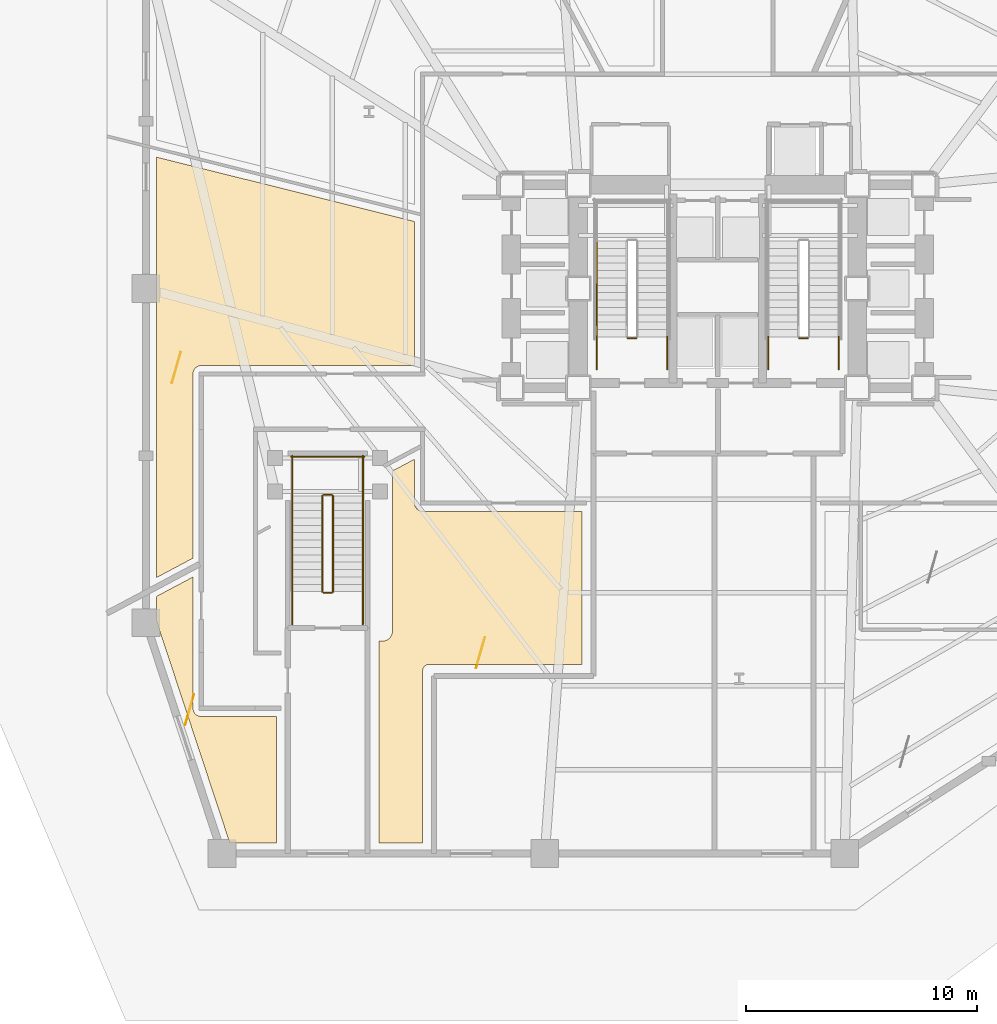
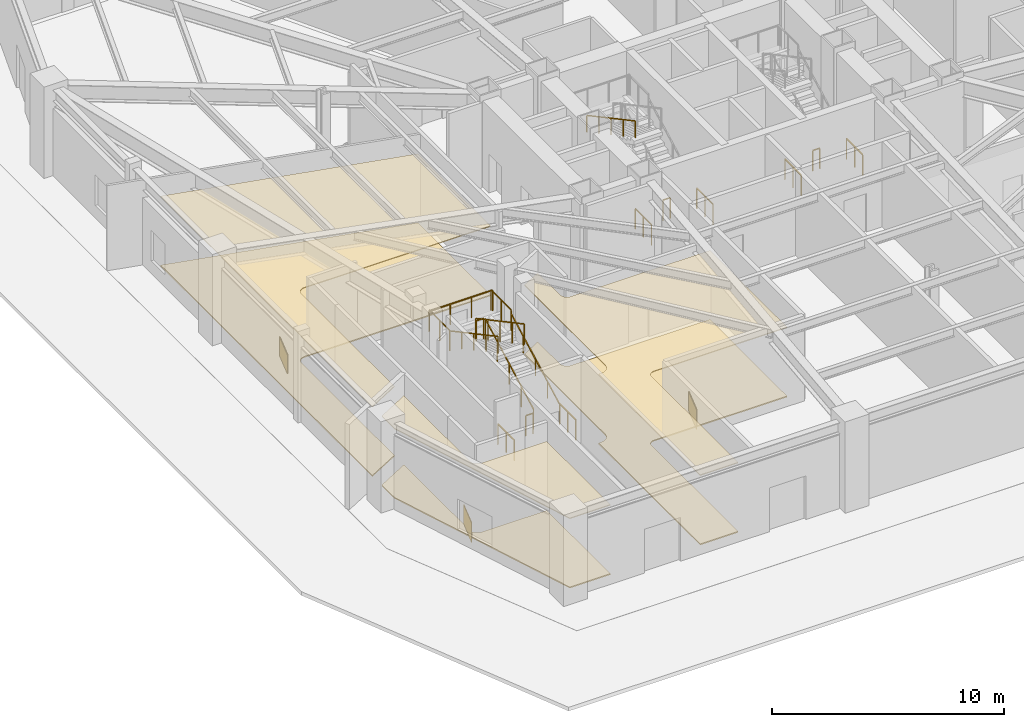
# One storey, part 7 of 10: 18 railings, 9 coverings.
"""IFC4 building model written with IfcOpenShell, lengths in metres."""

from ifc_helpers import new_model, si_unit, direction, frame, origin, origin_2d, place, context, subcontext, project, spatial, polyline, rectangle, outline, extrude, material, layer, layer_set, type_object, element, save


model = new_model("IFC4")

# Units and contexts
model_context = context("Model", 3, precision=1e-05, world=origin(), true_north=direction((0.0, 1.0)))
body_context = subcontext(model_context, "Body", "Model", "MODEL_VIEW")
ifc_project = project(units=[si_unit("LENGTHUNIT", "METRE"), si_unit("AREAUNIT", "SQUARE_METRE"), si_unit("VOLUMEUNIT", "CUBIC_METRE"), si_unit("PLANEANGLEUNIT", "RADIAN"), si_unit("MASSUNIT", "GRAM", prefix="KILO")], contexts=[model_context])

# Site, building, storey
site_placement = place(None, origin())
site = spatial("IfcSite", under=ifc_project, at=site_placement, CompositionType="ELEMENT")
building_placement = place(site_placement, origin())
building = spatial("IfcBuilding", under=site, at=building_placement, Name="Rocaltana Carrier Exchange", CompositionType="ELEMENT")
storey_placement = place(building_placement, origin())
storey = spatial("IfcBuildingStorey", under=building, at=storey_placement, Name="L01", CompositionType="ELEMENT", Elevation=0.0)

# Coverings
ifc_material_1 = material(Name="Calcium Sulphate & Aluminium Pedestal", Category="aluminium")
ifc_layer_1 = layer(ifc_material_1, 0.06005859375)
ifc_layer_set_1 = layer_set([ifc_layer_1], Name="Calcium Sulphate & Aluminium Pedestal")
covering_type_1 = type_object("IfcCoveringType", Name="Anti-Static Raised Exchange Access Floor 60", PredefinedType="FLOORING", material=ifc_layer_set_1)
covering_1_placement = place(storey_placement, origin())
element("IfcCovering", 1, at=covering_1_placement, inside=storey, type_object=covering_type_1, Name="L01 Carrier Exchange Exhibition Hall Finish Floor", PredefinedType="FLOORING", context=body_context, shape_type="SweptSolid", body=[
    extrude(outline(polyline([(-13.159912109375, -3.340087890625), (-22.39990234375, -3.340087890625), (-22.413818359375, -3.34033203125), (-22.421630859375, -3.3408203125), (-22.448974609375, -3.343505859375), (-22.456787109375, -3.344482421875), (-22.483642578125, -3.349853515625), (-22.4912109375, -3.351806640625), (-22.517578125, -3.35986328125), (-22.52490234375, -3.362548828125), (-22.55029296875, -3.373046875), (-22.557373046875, -3.376220703125), (-22.581787109375, -3.389404296875), (-22.58837890625, -3.393310546875), (-22.611083984375, -3.40869140625), (-22.617431640625, -3.413330078125), (-22.638916015625, -3.4306640625), (-22.64453125, -3.43603515625), (-22.6640625, -3.455322265625), (-22.669189453125, -3.461181640625), (-22.686767578125, -3.482421875), (-22.69140625, -3.48876953125), (-22.706787109375, -3.51171875), (-22.710693359375, -3.518310546875), (-22.7236328125, -3.54248046875), (-22.72705078125, -3.5498046875), (-22.737548828125, -3.5751953125), (-22.740234375, -3.58251953125), (-22.748291015625, -3.608642578125), (-22.75, -3.616455078125), (-22.75537109375, -3.643310546875), (-22.756591796875, -3.651123046875), (-22.75927734375, -3.678466796875), (-22.759765625, -3.686279296875), (-22.760009765625, -3.699951171875), (-22.760009765625, -11.694091796875), (-24.340087890625, -12.5341796875), (-24.340087890625, 5.697509765625), (-13.159912109375, 2.91015625), (-13.159912109375, -3.340087890625)])), origin(), (0.0, 0.0, 1.0), 0.06005859375),
])
covering_2_placement = place(storey_placement, origin())
element("IfcCovering", 2, at=covering_2_placement, inside=storey, type_object=covering_type_1, Name="L01 Data Exchange Hall Finish Floor", PredefinedType="FLOORING", context=body_context, shape_type="SweptSolid", body=[
    extrude(outline(polyline([(-22.760009765625, -18.199951171875), (-22.759765625, -18.213623046875), (-22.75927734375, -18.2216796875), (-22.756591796875, -18.248779296875), (-22.75537109375, -18.256591796875), (-22.75, -18.28369140625), (-22.748291015625, -18.291259765625), (-22.740234375, -18.317626953125), (-22.737548828125, -18.324951171875), (-22.72705078125, -18.350341796875), (-22.7236328125, -18.357421875), (-22.710693359375, -18.381591796875), (-22.706787109375, -18.388427734375), (-22.69140625, -18.4111328125), (-22.686767578125, -18.41748046875), (-22.669189453125, -18.438720703125), (-22.6640625, -18.444580078125), (-22.64453125, -18.464111328125), (-22.638916015625, -18.46923828125), (-22.617431640625, -18.48681640625), (-22.611083984375, -18.491455078125), (-22.58837890625, -18.506591796875), (-22.581787109375, -18.5107421875), (-22.557373046875, -18.523681640625), (-22.55029296875, -18.527099609375), (-22.52490234375, -18.53759765625), (-22.517578125, -18.540283203125), (-22.4912109375, -18.548095703125), (-22.483642578125, -18.550048828125), (-22.456787109375, -18.555419921875), (-22.448974609375, -18.556640625), (-22.421630859375, -18.559326171875), (-22.413818359375, -18.559814453125), (-22.39990234375, -18.56005859375), (-19.14990234375, -18.56005859375), (-19.14990234375, -24.0400390625), (-21.16748046875, -24.0400390625), (-24.340087890625, -14.426025390625), (-24.340087890625, -13.349609375), (-22.760009765625, -12.509521484375), (-22.760009765625, -18.199951171875)])), origin(), (0.0, 0.0, 1.0), 0.06005859375),
])
covering_3_placement = place(storey_placement, origin())
element("IfcCovering", 3, at=covering_3_placement, inside=storey, type_object=covering_type_1, Name="L01 Optical Switching Laboratory Finish Floor", PredefinedType="FLOORING", context=body_context, shape_type="SweptSolid", body=[
    extrude(outline(polyline([(-13.159912109375, -9.300048828125), (-13.15966796875, -9.313720703125), (-13.1591796875, -9.321533203125), (-13.156494140625, -9.348876953125), (-13.155517578125, -9.356689453125), (-13.150146484375, -9.383544921875), (-13.148193359375, -9.391357421875), (-13.14013671875, -9.41748046875), (-13.137451171875, -9.4248046875), (-13.126953125, -9.4501953125), (-13.123779296875, -9.45751953125), (-13.110595703125, -9.481689453125), (-13.106689453125, -9.48828125), (-13.09130859375, -9.51123046875), (-13.086669921875, -9.517578125), (-13.0693359375, -9.538818359375), (-13.06396484375, -9.544677734375), (-13.044677734375, -9.56396484375), (-13.038818359375, -9.5693359375), (-13.017578125, -9.586669921875), (-13.01123046875, -9.59130859375), (-12.98828125, -9.606689453125), (-12.981689453125, -9.610595703125), (-12.95751953125, -9.623779296875), (-12.9501953125, -9.626953125), (-12.9248046875, -9.637451171875), (-12.91748046875, -9.64013671875), (-12.891357421875, -9.648193359375), (-12.883544921875, -9.650146484375), (-12.856689453125, -9.655517578125), (-12.848876953125, -9.656494140625), (-12.821533203125, -9.6591796875), (-12.813720703125, -9.65966796875), (-12.800048828125, -9.659912109375), (-5.89990234375, -9.659912109375), (-5.89990234375, -16.300048828125), (-12.52001953125, -16.300048828125), (-12.54736328125, -16.30126953125), (-12.57470703125, -16.305419921875), (-12.601318359375, -16.31201171875), (-12.627197265625, -16.3212890625), (-12.652099609375, -16.3330078125), (-12.675537109375, -16.34716796875), (-12.697509765625, -16.363525390625), (-12.718017578125, -16.382080078125), (-12.736328125, -16.40234375), (-12.752685546875, -16.42431640625), (-12.766845703125, -16.447998046875), (-12.77880859375, -16.472900390625), (-12.787841796875, -16.498779296875), (-12.794677734375, -16.525390625), (-12.798583984375, -16.552490234375), (-12.800048828125, -16.580078125), (-12.800048828125, -24.0400390625), (-14.68994140625, -24.0400390625), (-14.68994140625, -15.2900390625), (-14.550048828125, -15.2900390625), (-14.536376953125, -15.289794921875), (-14.5205078125, -15.288818359375), (-14.4931640625, -15.2861328125), (-14.477783203125, -15.283935546875), (-14.45068359375, -15.278564453125), (-14.435546875, -15.274658203125), (-14.4091796875, -15.2666015625), (-14.394287109375, -15.261474609375), (-14.369140625, -15.2509765625), (-14.35498046875, -15.244140625), (-14.33056640625, -15.231201171875), (-14.317138671875, -15.22314453125), (-14.294189453125, -15.2080078125), (-14.28173828125, -15.198486328125), (-14.260498046875, -15.18115234375), (-14.248779296875, -15.170654296875), (-14.2294921875, -15.151123046875), (-14.218994140625, -15.139404296875), (-14.201416015625, -15.118408203125), (-14.192138671875, -15.105712890625), (-14.1767578125, -15.082763671875), (-14.168701171875, -15.0693359375), (-14.15576171875, -15.045166015625), (-14.149169921875, -15.031005859375), (-14.138427734375, -15.005615234375), (-14.13330078125, -14.99072265625), (-14.125244140625, -14.964599609375), (-14.12158203125, -14.94921875), (-14.1162109375, -14.92236328125), (-14.11376953125, -14.90673828125), (-14.111083984375, -14.87939453125), (-14.1103515625, -14.86376953125), (-14.110107421875, -14.85009765625), (-14.110107421875, -7.91015625), (-13.159912109375, -7.405029296875), (-13.159912109375, -9.300048828125)])), origin(), (0.0, 0.0, 1.0), 0.06005859375),
])
ifc_material_2 = material(Name="Mineral Fibre & Powder-Coated Aluminium", Category="aluminium")
ifc_layer_2 = layer(ifc_material_2, 0.044921875)
ifc_layer_set_2 = layer_set([ifc_layer_2], Name="Mineral Fibre & Powder-Coated Aluminium")
covering_type_2 = type_object("IfcCoveringType", Name="Micro-Perforated Acoustic Ceiling 45", PredefinedType="CEILING", material=ifc_layer_set_2)
covering_4_placement = place(storey_placement, frame((0.0, 0.0, 3.64306640625)))
element("IfcCovering", 4, at=covering_4_placement, inside=storey, type_object=covering_type_2, Name="L01 Carrier Exchange Exhibition Hall Acoustic Ceiling", PredefinedType="CEILING", context=body_context, shape_type="SweptSolid", body=[
    extrude(outline(polyline([(-13.159912109375, -3.340087890625), (-22.39990234375, -3.340087890625), (-22.413818359375, -3.34033203125), (-22.421630859375, -3.3408203125), (-22.448974609375, -3.343505859375), (-22.456787109375, -3.344482421875), (-22.483642578125, -3.349853515625), (-22.4912109375, -3.351806640625), (-22.517578125, -3.35986328125), (-22.52490234375, -3.362548828125), (-22.55029296875, -3.373046875), (-22.557373046875, -3.376220703125), (-22.581787109375, -3.389404296875), (-22.58837890625, -3.393310546875), (-22.611083984375, -3.40869140625), (-22.617431640625, -3.413330078125), (-22.638916015625, -3.4306640625), (-22.64453125, -3.43603515625), (-22.6640625, -3.455322265625), (-22.669189453125, -3.461181640625), (-22.686767578125, -3.482421875), (-22.69140625, -3.48876953125), (-22.706787109375, -3.51171875), (-22.710693359375, -3.518310546875), (-22.7236328125, -3.54248046875), (-22.72705078125, -3.5498046875), (-22.737548828125, -3.5751953125), (-22.740234375, -3.58251953125), (-22.748291015625, -3.608642578125), (-22.75, -3.616455078125), (-22.75537109375, -3.643310546875), (-22.756591796875, -3.651123046875), (-22.75927734375, -3.678466796875), (-22.759765625, -3.686279296875), (-22.760009765625, -3.699951171875), (-22.760009765625, -11.694091796875), (-24.340087890625, -12.5341796875), (-24.340087890625, 5.697509765625), (-13.159912109375, 2.91015625), (-13.159912109375, -3.340087890625)])), origin(), (0.0, 0.0, 1.0), 0.044921875),
])
covering_5_placement = place(storey_placement, frame((0.0, 0.0, 3.64306640625)))
element("IfcCovering", 5, at=covering_5_placement, inside=storey, type_object=covering_type_2, Name="L01 Data Exchange Hall Acoustic Ceiling", PredefinedType="CEILING", context=body_context, shape_type="SweptSolid", body=[
    extrude(outline(polyline([(-22.760009765625, -18.199951171875), (-22.759765625, -18.213623046875), (-22.75927734375, -18.2216796875), (-22.756591796875, -18.248779296875), (-22.75537109375, -18.256591796875), (-22.75, -18.28369140625), (-22.748291015625, -18.291259765625), (-22.740234375, -18.317626953125), (-22.737548828125, -18.324951171875), (-22.72705078125, -18.350341796875), (-22.7236328125, -18.357421875), (-22.710693359375, -18.381591796875), (-22.706787109375, -18.388427734375), (-22.69140625, -18.4111328125), (-22.686767578125, -18.41748046875), (-22.669189453125, -18.438720703125), (-22.6640625, -18.444580078125), (-22.64453125, -18.464111328125), (-22.638916015625, -18.46923828125), (-22.617431640625, -18.48681640625), (-22.611083984375, -18.491455078125), (-22.58837890625, -18.506591796875), (-22.581787109375, -18.5107421875), (-22.557373046875, -18.523681640625), (-22.55029296875, -18.527099609375), (-22.52490234375, -18.53759765625), (-22.517578125, -18.540283203125), (-22.4912109375, -18.548095703125), (-22.483642578125, -18.550048828125), (-22.456787109375, -18.555419921875), (-22.448974609375, -18.556640625), (-22.421630859375, -18.559326171875), (-22.413818359375, -18.559814453125), (-22.39990234375, -18.56005859375), (-19.14990234375, -18.56005859375), (-19.14990234375, -24.0400390625), (-21.16748046875, -24.0400390625), (-24.340087890625, -14.426025390625), (-24.340087890625, -13.349609375), (-22.760009765625, -12.509521484375), (-22.760009765625, -18.199951171875)])), origin(), (0.0, 0.0, 1.0), 0.044921875),
])
covering_6_placement = place(storey_placement, frame((0.0, 0.0, 3.64306640625)))
element("IfcCovering", 6, at=covering_6_placement, inside=storey, type_object=covering_type_2, Name="L01 Optical Switching Laboratory Acoustic Ceiling", PredefinedType="CEILING", context=body_context, shape_type="SweptSolid", body=[
    extrude(outline(polyline([(-13.159912109375, -9.300048828125), (-13.15966796875, -9.313720703125), (-13.1591796875, -9.321533203125), (-13.156494140625, -9.348876953125), (-13.155517578125, -9.356689453125), (-13.150146484375, -9.383544921875), (-13.148193359375, -9.391357421875), (-13.14013671875, -9.41748046875), (-13.137451171875, -9.4248046875), (-13.126953125, -9.4501953125), (-13.123779296875, -9.45751953125), (-13.110595703125, -9.481689453125), (-13.106689453125, -9.48828125), (-13.09130859375, -9.51123046875), (-13.086669921875, -9.517578125), (-13.0693359375, -9.538818359375), (-13.06396484375, -9.544677734375), (-13.044677734375, -9.56396484375), (-13.038818359375, -9.5693359375), (-13.017578125, -9.586669921875), (-13.01123046875, -9.59130859375), (-12.98828125, -9.606689453125), (-12.981689453125, -9.610595703125), (-12.95751953125, -9.623779296875), (-12.9501953125, -9.626953125), (-12.9248046875, -9.637451171875), (-12.91748046875, -9.64013671875), (-12.891357421875, -9.648193359375), (-12.883544921875, -9.650146484375), (-12.856689453125, -9.655517578125), (-12.848876953125, -9.656494140625), (-12.821533203125, -9.6591796875), (-12.813720703125, -9.65966796875), (-12.800048828125, -9.659912109375), (-5.89990234375, -9.659912109375), (-5.89990234375, -16.300048828125), (-12.52001953125, -16.300048828125), (-12.54736328125, -16.30126953125), (-12.57470703125, -16.305419921875), (-12.601318359375, -16.31201171875), (-12.627197265625, -16.3212890625), (-12.652099609375, -16.3330078125), (-12.675537109375, -16.34716796875), (-12.697509765625, -16.363525390625), (-12.718017578125, -16.382080078125), (-12.736328125, -16.40234375), (-12.752685546875, -16.42431640625), (-12.766845703125, -16.447998046875), (-12.77880859375, -16.472900390625), (-12.787841796875, -16.498779296875), (-12.794677734375, -16.525390625), (-12.798583984375, -16.552490234375), (-12.800048828125, -16.580078125), (-12.800048828125, -24.0400390625), (-14.68994140625, -24.0400390625), (-14.68994140625, -15.2900390625), (-14.550048828125, -15.2900390625), (-14.536376953125, -15.289794921875), (-14.5205078125, -15.288818359375), (-14.4931640625, -15.2861328125), (-14.477783203125, -15.283935546875), (-14.45068359375, -15.278564453125), (-14.435546875, -15.274658203125), (-14.4091796875, -15.2666015625), (-14.394287109375, -15.261474609375), (-14.369140625, -15.2509765625), (-14.35498046875, -15.244140625), (-14.33056640625, -15.231201171875), (-14.317138671875, -15.22314453125), (-14.294189453125, -15.2080078125), (-14.28173828125, -15.198486328125), (-14.260498046875, -15.18115234375), (-14.248779296875, -15.170654296875), (-14.2294921875, -15.151123046875), (-14.218994140625, -15.139404296875), (-14.201416015625, -15.118408203125), (-14.192138671875, -15.105712890625), (-14.1767578125, -15.082763671875), (-14.168701171875, -15.0693359375), (-14.15576171875, -15.045166015625), (-14.149169921875, -15.031005859375), (-14.138427734375, -15.005615234375), (-14.13330078125, -14.99072265625), (-14.125244140625, -14.964599609375), (-14.12158203125, -14.94921875), (-14.1162109375, -14.92236328125), (-14.11376953125, -14.90673828125), (-14.111083984375, -14.87939453125), (-14.1103515625, -14.86376953125), (-14.110107421875, -14.85009765625), (-14.110107421875, -7.91015625), (-13.159912109375, -7.405029296875), (-13.159912109375, -9.300048828125)])), origin(), (0.0, 0.0, 1.0), 0.044921875),
])

# Railings
ifc_material_3 = material(Name="Brushed Architectural Stainless Tube", Category="steel")
ifc_layer_3 = layer(ifc_material_3, 0.048095703125)
ifc_layer_set_3 = layer_set([ifc_layer_3], Name="Brushed Architectural Stainless Tube")
railing_type_1 = type_object("IfcRailingType", Name="Stair Wall Handrail 920", PredefinedType="HANDRAIL", material=ifc_layer_set_3)
railing_1_placement = place(storey_placement, frame((-5.25, 2.06005859375, 2.571533203125)))
element("IfcRailing", 7, at=railing_1_placement, inside=storey, type_object=railing_type_1, Name="L01 ST-1 stair handrail 2", PredefinedType="HANDRAIL", context=body_context, shape_type="SweptSolid", body=[
    extrude(rectangle(XDim=0.048095703125, YDim=0.048095703125, at=origin_2d()), frame((0.0, 0.0, 0.8759765625), z_axis=(0.0, -0.881492274372, 0.472198443689), x_axis=(1.0, 0.0, 0.0)), (0.0, 0.0, 1.0), 4.719482421875),
    extrude(rectangle(XDim=0.0419921875, YDim=0.0419921875, at=origin_2d()), origin(), (0.0, 0.0, 1.0), 0.851806640625),
    extrude(rectangle(XDim=0.0419921875, YDim=0.0419921875, at=origin_2d()), frame((0.0, -1.0400390625, 0.55712890625)), (0.0, 0.0, 1.0), 0.851806640625),
    extrude(rectangle(XDim=0.0419921875, YDim=0.0419921875, at=origin_2d()), frame((0.0, -2.080078125, 1.1142578125)), (0.0, 0.0, 1.0), 0.851806640625),
    extrude(rectangle(XDim=0.0419921875, YDim=0.0419921875, at=origin_2d()), frame((0.0, -3.1201171875, 1.67138671875)), (0.0, 0.0, 1.0), 0.851806640625),
    extrude(rectangle(XDim=0.0419921875, YDim=0.0419921875, at=origin_2d()), frame((0.0, -4.16015625, 2.228515625)), (0.0, 0.0, 1.0), 0.851806640625),
])
railing_2_placement = place(storey_placement, frame((-15.389892578125, -13.14990234375, 0.17138671875)))
element("IfcRailing", 8, at=railing_2_placement, inside=storey, type_object=railing_type_1, Name="L01 ST-3 stair handrail 1", PredefinedType="HANDRAIL", context=body_context, shape_type="SweptSolid", body=[
    extrude(rectangle(XDim=0.048095703125, YDim=0.048095703125, at=origin_2d()), frame((0.0, 0.0, 0.8759765625), z_axis=(0.0, 0.881480739103, 0.472219976908), x_axis=(-1.0, 0.0, 0.0)), (0.0, 0.0, 1.0), 4.71923828125),
    extrude(rectangle(XDim=0.0419921875, YDim=0.0419921875, at=origin_2d()), origin(), (0.0, 0.0, 1.0), 0.851806640625),
    extrude(rectangle(XDim=0.0419921875, YDim=0.0419921875, at=origin_2d()), frame((0.0, 1.0400390625, 0.55712890625)), (0.0, 0.0, 1.0), 0.851806640625),
    extrude(rectangle(XDim=0.0419921875, YDim=0.0419921875, at=origin_2d()), frame((0.0, 2.080078125, 1.1142578125)), (0.0, 0.0, 1.0), 0.851806640625),
    extrude(rectangle(XDim=0.0419921875, YDim=0.0419921875, at=origin_2d()), frame((0.0, 3.119873046875, 1.67138671875)), (0.0, 0.0, 1.0), 0.851806640625),
    extrude(rectangle(XDim=0.0419921875, YDim=0.0419921875, at=origin_2d()), frame((0.0, 4.159912109375, 2.228515625)), (0.0, 0.0, 1.0), 0.851806640625),
])
railing_3_placement = place(storey_placement, frame((-18.449951171875, -8.989990234375, 2.571533203125)))
element("IfcRailing", 9, at=railing_3_placement, inside=storey, type_object=railing_type_1, Name="L01 ST-3 stair handrail 2", PredefinedType="HANDRAIL", context=body_context, shape_type="SweptSolid", body=[
    extrude(rectangle(XDim=0.048095703125, YDim=0.048095703125, at=origin_2d()), frame((0.0, 0.0, 0.8759765625), z_axis=(0.0, -0.881480739103, 0.472219976908), x_axis=(1.0, 0.0, 0.0)), (0.0, 0.0, 1.0), 4.71923828125),
    extrude(rectangle(XDim=0.0419921875, YDim=0.0419921875, at=origin_2d()), origin(), (0.0, 0.0, 1.0), 0.851806640625),
    extrude(rectangle(XDim=0.0419921875, YDim=0.0419921875, at=origin_2d()), frame((0.0, -1.0400390625, 0.55712890625)), (0.0, 0.0, 1.0), 0.851806640625),
    extrude(rectangle(XDim=0.0419921875, YDim=0.0419921875, at=origin_2d()), frame((0.0, -2.080078125, 1.1142578125)), (0.0, 0.0, 1.0), 0.851806640625),
    extrude(rectangle(XDim=0.0419921875, YDim=0.0419921875, at=origin_2d()), frame((0.0, -3.119873046875, 1.67138671875)), (0.0, 0.0, 1.0), 0.851806640625),
    extrude(rectangle(XDim=0.0419921875, YDim=0.0419921875, at=origin_2d()), frame((0.0, -4.159912109375, 2.228515625)), (0.0, 0.0, 1.0), 0.851806640625),
])
ifc_material_4 = material(Name="Powder-Coated Aluminium 6063-T6", Category="aluminium")
ifc_layer_4 = layer(ifc_material_4, 0.048095703125)
ifc_layer_set_4 = layer_set([ifc_layer_4], Name="Powder-Coated Aluminium 6063-T6")
railing_type_2 = type_object("IfcRailingType", Name="Stair Well Guardrail 1100", PredefinedType="GUARDRAIL", material=ifc_layer_set_4)
railing_4_placement = place(storey_placement, frame((-3.5400390625, -2.14990234375, 0.0)))
element("IfcRailing", 10, at=railing_4_placement, inside=storey, type_object=railing_type_2, Name="L01 ST-1 stair guard 7", PredefinedType="GUARDRAIL", context=body_context, shape_type="SweptSolid", body=[
    extrude(rectangle(XDim=0.048095703125, YDim=0.048095703125, at=origin_2d()), frame((0.0, 0.0, 1.076171875), z_axis=(-1.0, 0.0, 0.0), x_axis=(0.0, -1.0, 0.0)), (0.0, 0.0, 1.0), 0.35986328125),
    extrude(rectangle(XDim=0.0419921875, YDim=0.0419921875, at=origin_2d()), origin(), (0.0, 0.0, 1.0), 1.052001953125),
    extrude(rectangle(XDim=0.0419921875, YDim=0.0419921875, at=origin_2d()), frame((-0.35986328125, 0.0, 0.0)), (0.0, 0.0, 1.0), 1.052001953125),
])
for number, where, name in (
    (11, (-2.18994140625, -3.5, 0.0), "L01 ST-1 stair guard 8"),
    (12, (-5.25, -3.5, 0.0), "L01 ST-1 stair guard 9"),
):
    element("IfcRailing", number, at=place(storey_placement, frame(where)), inside=storey, type_object=railing_type_2, Name=name, PredefinedType="GUARDRAIL", context=body_context, shape_type="SweptSolid", body=[
        extrude(rectangle(XDim=0.048095703125, YDim=0.048095703125, at=origin_2d()), frame((0.0, 0.0, 1.076171875), z_axis=(0.0, 1.0, 0.0), x_axis=(-1.0, 0.0, 0.0)), (0.0, 0.0, 1.0), 1.39990234375),
        extrude(rectangle(XDim=0.0419921875, YDim=0.0419921875, at=origin_2d()), origin(), (0.0, 0.0, 1.0), 1.052001953125),
        extrude(rectangle(XDim=0.0419921875, YDim=0.0419921875, at=origin_2d()), frame((0.0, 0.699951171875, 0.0)), (0.0, 0.0, 1.0), 1.052001953125),
        extrude(rectangle(XDim=0.0419921875, YDim=0.0419921875, at=origin_2d()), frame((0.0, 1.39990234375, 0.0)), (0.0, 0.0, 1.0), 1.052001953125),
    ])
railing_5_placement = place(storey_placement, frame((3.89990234375, -2.14990234375, 0.0)))
element("IfcRailing", 13, at=railing_5_placement, inside=storey, type_object=railing_type_2, Name="L01 ST-2 stair guard 7", PredefinedType="GUARDRAIL", context=body_context, shape_type="SweptSolid", body=[
    extrude(rectangle(XDim=0.048095703125, YDim=0.048095703125, at=origin_2d()), frame((0.0, 0.0, 1.076171875), z_axis=(-1.0, 0.0, 0.0), x_axis=(0.0, -1.0, 0.0)), (0.0, 0.0, 1.0), 0.35986328125),
    extrude(rectangle(XDim=0.0419921875, YDim=0.0419921875, at=origin_2d()), origin(), (0.0, 0.0, 1.0), 1.052001953125),
    extrude(rectangle(XDim=0.0419921875, YDim=0.0419921875, at=origin_2d()), frame((-0.35986328125, 0.0, 0.0)), (0.0, 0.0, 1.0), 1.052001953125),
])
for number, where, name in (
    (14, (5.25, -3.5, 0.0), "L01 ST-2 stair guard 8"),
    (15, (2.18994140625, -3.5, 0.0), "L01 ST-2 stair guard 9"),
):
    element("IfcRailing", number, at=place(storey_placement, frame(where)), inside=storey, type_object=railing_type_2, Name=name, PredefinedType="GUARDRAIL", context=body_context, shape_type="SweptSolid", body=[
        extrude(rectangle(XDim=0.048095703125, YDim=0.048095703125, at=origin_2d()), frame((0.0, 0.0, 1.076171875), z_axis=(0.0, 1.0, 0.0), x_axis=(-1.0, 0.0, 0.0)), (0.0, 0.0, 1.0), 1.39990234375),
        extrude(rectangle(XDim=0.0419921875, YDim=0.0419921875, at=origin_2d()), origin(), (0.0, 0.0, 1.0), 1.052001953125),
        extrude(rectangle(XDim=0.0419921875, YDim=0.0419921875, at=origin_2d()), frame((0.0, 0.699951171875, 0.0)), (0.0, 0.0, 1.0), 1.052001953125),
        extrude(rectangle(XDim=0.0419921875, YDim=0.0419921875, at=origin_2d()), frame((0.0, 1.39990234375, 0.0)), (0.0, 0.0, 1.0), 1.052001953125),
    ])
railing_6_placement = place(storey_placement, frame((-16.68994140625, -13.14990234375, 0.17138671875)))
element("IfcRailing", 16, at=railing_6_placement, inside=storey, type_object=railing_type_2, Name="L01 ST-3 stair guard 1", PredefinedType="GUARDRAIL", context=body_context, shape_type="SweptSolid", body=[
    extrude(rectangle(XDim=0.048095703125, YDim=0.048095703125, at=origin_2d()), frame((0.0, 0.0, 1.076171875), z_axis=(0.0, 0.881480739103, 0.472219976908), x_axis=(-1.0, 0.0, 0.0)), (0.0, 0.0, 1.0), 4.71923828125),
    extrude(rectangle(XDim=0.0419921875, YDim=0.0419921875, at=origin_2d()), origin(), (0.0, 0.0, 1.0), 1.052001953125),
    extrude(rectangle(XDim=0.0419921875, YDim=0.0419921875, at=origin_2d()), frame((0.0, 1.0400390625, 0.55712890625)), (0.0, 0.0, 1.0), 1.052001953125),
    extrude(rectangle(XDim=0.0419921875, YDim=0.0419921875, at=origin_2d()), frame((0.0, 2.080078125, 1.1142578125)), (0.0, 0.0, 1.0), 1.052001953125),
    extrude(rectangle(XDim=0.0419921875, YDim=0.0419921875, at=origin_2d()), frame((0.0, 3.119873046875, 1.67138671875)), (0.0, 0.0, 1.0), 1.052001953125),
    extrude(rectangle(XDim=0.0419921875, YDim=0.0419921875, at=origin_2d()), frame((0.0, 4.159912109375, 2.228515625)), (0.0, 0.0, 1.0), 1.052001953125),
])
railing_7_placement = place(storey_placement, frame((-16.739990234375, -8.93994140625, 2.39990234375)))
element("IfcRailing", 17, at=railing_7_placement, inside=storey, type_object=railing_type_2, Name="L01 ST-3 stair guard 2", PredefinedType="GUARDRAIL", context=body_context, shape_type="SweptSolid", body=[
    extrude(rectangle(XDim=0.048095703125, YDim=0.048095703125, at=origin_2d()), frame((0.0, 0.0, 1.076171875), z_axis=(-1.0, 0.0, 0.0), x_axis=(0.0, -1.0, 0.0)), (0.0, 0.0, 1.0), 0.360107421875),
    extrude(rectangle(XDim=0.0419921875, YDim=0.0419921875, at=origin_2d()), origin(), (0.0, 0.0, 1.0), 1.052001953125),
    extrude(rectangle(XDim=0.0419921875, YDim=0.0419921875, at=origin_2d()), frame((-0.360107421875, 0.0, 0.0)), (0.0, 0.0, 1.0), 1.052001953125),
])
for number, where, name in (
    (18, (-15.389892578125, -8.989990234375, 2.39990234375), "L01 ST-3 stair guard 3"),
    (19, (-18.449951171875, -8.989990234375, 2.39990234375), "L01 ST-3 stair guard 4"),
):
    element("IfcRailing", number, at=place(storey_placement, frame(where)), inside=storey, type_object=railing_type_2, Name=name, PredefinedType="GUARDRAIL", context=body_context, shape_type="SweptSolid", body=[
        extrude(rectangle(XDim=0.048095703125, YDim=0.048095703125, at=origin_2d()), frame((0.0, 0.0, 1.076171875), z_axis=(0.0, 1.0, 0.0), x_axis=(-1.0, 0.0, 0.0)), (0.0, 0.0, 1.0), 1.739990234375),
        extrude(rectangle(XDim=0.0419921875, YDim=0.0419921875, at=origin_2d()), origin(), (0.0, 0.0, 1.0), 1.052001953125),
        extrude(rectangle(XDim=0.0419921875, YDim=0.0419921875, at=origin_2d()), frame((0.0, 0.8701171875, 0.0)), (0.0, 0.0, 1.0), 1.052001953125),
        extrude(rectangle(XDim=0.0419921875, YDim=0.0419921875, at=origin_2d()), frame((0.0, 1.739990234375, 0.0)), (0.0, 0.0, 1.0), 1.052001953125),
    ])
railing_8_placement = place(storey_placement, frame((-15.340087890625, -7.300048828125, 2.39990234375)))
element("IfcRailing", 20, at=railing_8_placement, inside=storey, type_object=railing_type_2, Name="L01 ST-3 stair guard 5", PredefinedType="GUARDRAIL", context=body_context, shape_type="SweptSolid", body=[
    extrude(rectangle(XDim=0.048095703125, YDim=0.048095703125, at=origin_2d()), frame((0.0, 0.0, 1.076171875), z_axis=(-1.0, 0.0, 0.0), x_axis=(0.0, -1.0, 0.0)), (0.0, 0.0, 1.0), 3.159912109375),
    extrude(rectangle(XDim=0.0419921875, YDim=0.0419921875, at=origin_2d()), origin(), (0.0, 0.0, 1.0), 1.052001953125),
    extrude(rectangle(XDim=0.0419921875, YDim=0.0419921875, at=origin_2d()), frame((-1.05322265625, 0.0, 0.0)), (0.0, 0.0, 1.0), 1.052001953125),
    extrude(rectangle(XDim=0.0419921875, YDim=0.0419921875, at=origin_2d()), frame((-2.106689453125, 0.0, 0.0)), (0.0, 0.0, 1.0), 1.052001953125),
    extrude(rectangle(XDim=0.0419921875, YDim=0.0419921875, at=origin_2d()), frame((-3.159912109375, 0.0, 0.0)), (0.0, 0.0, 1.0), 1.052001953125),
])
railing_9_placement = place(storey_placement, frame((-17.14990234375, -8.989990234375, 2.571533203125)))
element("IfcRailing", 21, at=railing_9_placement, inside=storey, type_object=railing_type_2, Name="L01 ST-3 stair guard 6", PredefinedType="GUARDRAIL", context=body_context, shape_type="SweptSolid", body=[
    extrude(rectangle(XDim=0.048095703125, YDim=0.048095703125, at=origin_2d()), frame((0.0, 0.0, 1.076171875), z_axis=(0.0, -0.881480739103, 0.472219976908), x_axis=(1.0, 0.0, 0.0)), (0.0, 0.0, 1.0), 4.71923828125),
    extrude(rectangle(XDim=0.0419921875, YDim=0.0419921875, at=origin_2d()), origin(), (0.0, 0.0, 1.0), 1.052001953125),
    extrude(rectangle(XDim=0.0419921875, YDim=0.0419921875, at=origin_2d()), frame((0.0, -1.0400390625, 0.55712890625)), (0.0, 0.0, 1.0), 1.052001953125),
    extrude(rectangle(XDim=0.0419921875, YDim=0.0419921875, at=origin_2d()), frame((0.0, -2.080078125, 1.1142578125)), (0.0, 0.0, 1.0), 1.052001953125),
    extrude(rectangle(XDim=0.0419921875, YDim=0.0419921875, at=origin_2d()), frame((0.0, -3.119873046875, 1.67138671875)), (0.0, 0.0, 1.0), 1.052001953125),
    extrude(rectangle(XDim=0.0419921875, YDim=0.0419921875, at=origin_2d()), frame((0.0, -4.159912109375, 2.228515625)), (0.0, 0.0, 1.0), 1.052001953125),
])
railing_10_placement = place(storey_placement, frame((-16.739990234375, -13.199951171875, 0.0)))
element("IfcRailing", 22, at=railing_10_placement, inside=storey, type_object=railing_type_2, Name="L01 ST-3 stair guard 7", PredefinedType="GUARDRAIL", context=body_context, shape_type="SweptSolid", body=[
    extrude(rectangle(XDim=0.048095703125, YDim=0.048095703125, at=origin_2d()), frame((0.0, 0.0, 1.076171875), z_axis=(-1.0, 0.0, 0.0), x_axis=(0.0, -1.0, 0.0)), (0.0, 0.0, 1.0), 0.360107421875),
    extrude(rectangle(XDim=0.0419921875, YDim=0.0419921875, at=origin_2d()), origin(), (0.0, 0.0, 1.0), 1.052001953125),
    extrude(rectangle(XDim=0.0419921875, YDim=0.0419921875, at=origin_2d()), frame((-0.360107421875, 0.0, 0.0)), (0.0, 0.0, 1.0), 1.052001953125),
])
for number, where, name in (
    (23, (-15.389892578125, -14.550048828125, 0.0), "L01 ST-3 stair guard 8"),
    (24, (-18.449951171875, -14.550048828125, 0.0), "L01 ST-3 stair guard 9"),
):
    element("IfcRailing", number, at=place(storey_placement, frame(where)), inside=storey, type_object=railing_type_2, Name=name, PredefinedType="GUARDRAIL", context=body_context, shape_type="SweptSolid", body=[
        extrude(rectangle(XDim=0.048095703125, YDim=0.048095703125, at=origin_2d()), frame((0.0, 0.0, 1.076171875), z_axis=(0.0, 1.0, 0.0), x_axis=(-1.0, 0.0, 0.0)), (0.0, 0.0, 1.0), 1.400146484375),
        extrude(rectangle(XDim=0.0419921875, YDim=0.0419921875, at=origin_2d()), origin(), (0.0, 0.0, 1.0), 1.052001953125),
        extrude(rectangle(XDim=0.0419921875, YDim=0.0419921875, at=origin_2d()), frame((0.0, 0.7001953125, 0.0)), (0.0, 0.0, 1.0), 1.052001953125),
        extrude(rectangle(XDim=0.0419921875, YDim=0.0419921875, at=origin_2d()), frame((0.0, 1.400146484375, 0.0)), (0.0, 0.0, 1.0), 1.052001953125),
    ])

# Coverings
ifc_material_5 = material(Name="Honed Piedra Muneca Sandstone", Category="masonry")
ifc_layer_5 = layer(ifc_material_5, 0.034912109375)
ifc_layer_set_5 = layer_set([ifc_layer_5], Name="Honed Piedra Muneca Sandstone")
covering_type_3 = type_object("IfcCoveringType", Name="Stone Facade Cladding 35", PredefinedType="CLADDING", material=ifc_layer_set_5)
for number, where, z_axis, x_axis, name in (
    (25, (-23.484130859375, -3.422119140625, 0.0), (0.0, 0.0, 1.0), (0.275637355817, 0.961261695938, 0.0), "L01 Stone Facade Cladding Panel 2"),
    (26, (-22.912109375, -18.270263671875, 0.0), (0.0, 0.0, 1.0), (0.275637355817, 0.961261695938, 0.0), "L01 Stone Facade Cladding Panel 4"),
    (27, (-10.294921875, -15.794921875, 0.0), (0.0, 0.0, 1.0), (0.275637355817, 0.961261695938, 0.0), "L01 Stone Facade Cladding Panel 5"),
):
    element("IfcCovering", number, at=place(storey_placement, frame(where, z_axis=z_axis, x_axis=x_axis)), inside=storey, type_object=covering_type_3, Name=name, PredefinedType="CLADDING", context=body_context, shape_type="SweptSolid", body=[
        extrude(rectangle(XDim=1.39990234375, YDim=0.034912109375, at=origin_2d()), origin(), (0.0, 0.0, 1.0), 1.050048828125),
    ])

save(model, "model.ifc")
